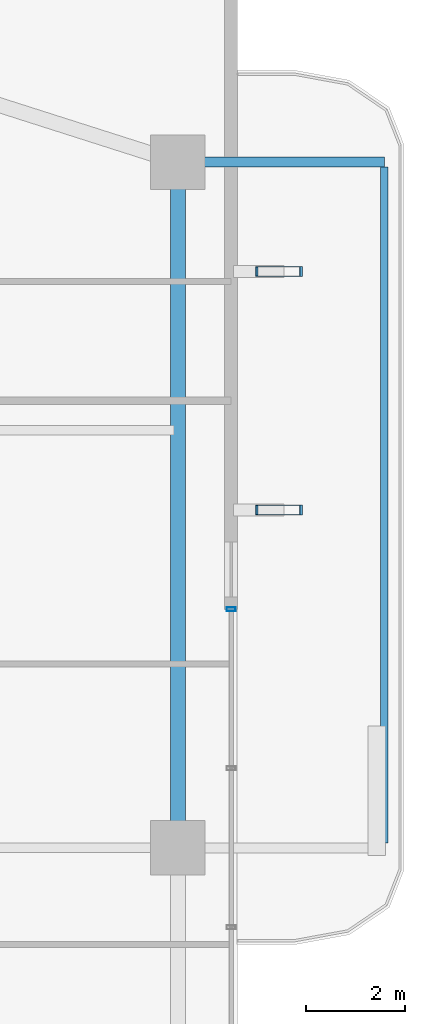
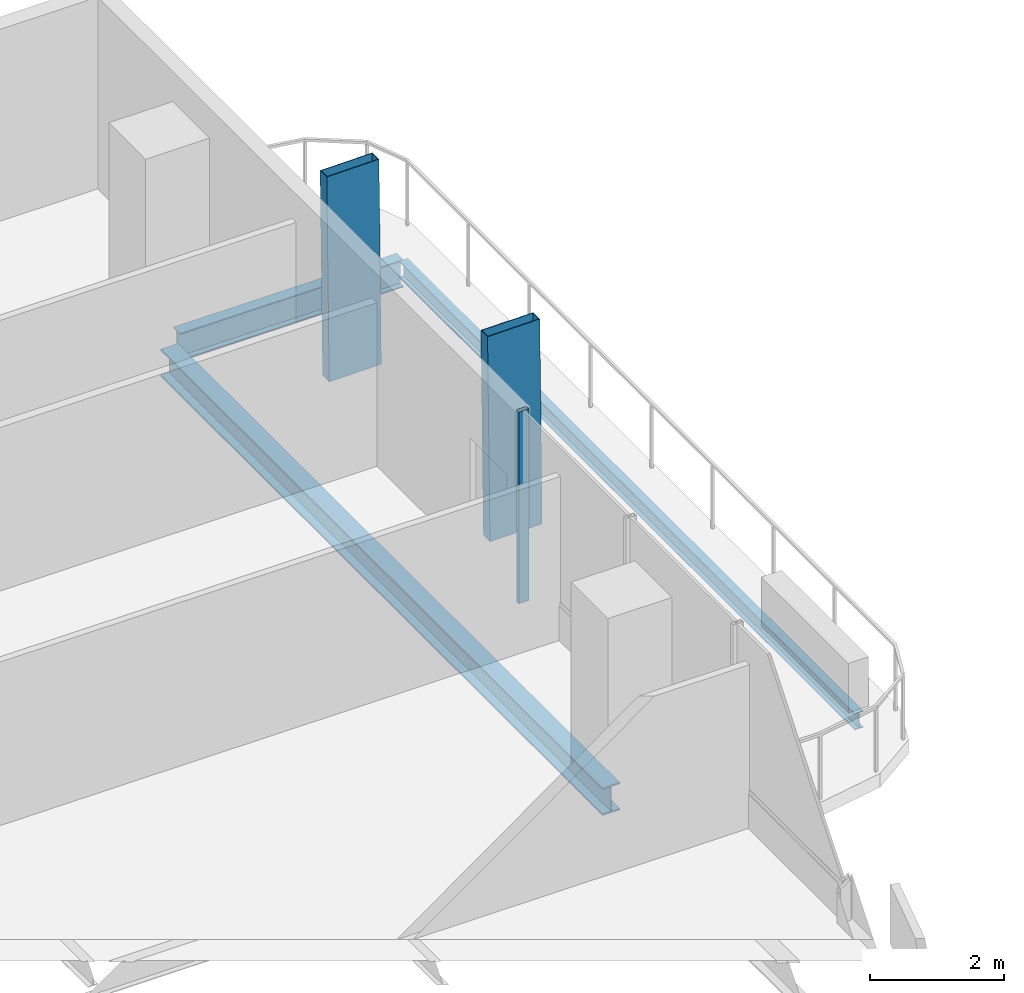
# One storey, part 15 of 24: 3 beams, 3 members, 1 element without a shape of its own.
"""IFC4 building model written with IfcOpenShell, lengths in metres."""

import ifcopenshell
import ifcopenshell.guid

model = None  # the IFC model being written
_history = None  # IfcOwnerHistory: only IFC2X3 demands one
_inside = {}  # id of a spatial element -> (the spatial element, [elements in it])
_under = {}  # id of a project, library or spatial element -> (it, [spatial elements below it])
_declared = {}  # id of a project -> (the project, [libraries it declares])
_typed = {}  # id of a type object -> (the type object, [elements of that type])
_made_of = {}  # id of a material, layer set ... -> (it, [elements and type objects made of it])


def new_model(schema):
    """Start an empty IFC model of exactly this schema.

    Asked for "IFC4X3", IfcOpenShell would pick the latest addendum, in which some entities
    have other attributes; the version numbers below select the first issue.
    IFC2X3 requires an IfcOwnerHistory on every rooted entity: one is made here for all.
    """
    global model, _history
    if schema == "IFC4X3":
        model = ifcopenshell.file(schema_version=(4, 3, 0, 0))
    else:
        model = ifcopenshell.file(schema=schema)
    _inside.clear()
    _under.clear()
    _declared.clear()
    _typed.clear()
    _made_of.clear()
    _history = None
    if model.schema == "IFC2X3":
        org = make("IfcOrganization", Name="unknown")
        user = make(
            "IfcPersonAndOrganization",
            ThePerson=make("IfcPerson", FamilyName="unknown"),
            TheOrganization=org,
        )
        app = make(
            "IfcApplication",
            ApplicationDeveloper=org,
            Version="unknown",
            ApplicationFullName="unknown",
            ApplicationIdentifier="unknown",
        )
        _history = make(
            "IfcOwnerHistory",
            OwningUser=user,
            OwningApplication=app,
            ChangeAction="ADDED",
            CreationDate=0,
        )
    return model


def make(cls, **values):
    """One entity of the class cls with the attributes given. An attribute that is None is left unset."""
    return model.create_entity(
        cls, **{name: value for name, value in values.items() if value is not None}
    )


def rooted(cls, **values):
    """An entity with a GlobalId (a new one), such as an element, a storey or a relation."""
    return make(cls, GlobalId=ifcopenshell.guid.new(), OwnerHistory=_history, **values)


def si_unit(unit_type, name, prefix=None):
    """IfcSIUnit, for example si_unit("LENGTHUNIT", "METRE", prefix="MILLI")."""
    return make("IfcSIUnit", UnitType=unit_type, Prefix=prefix, Name=name)


def assignment(units):
    """IfcUnitAssignment: the units of a project."""
    return None if units is None else make("IfcUnitAssignment", Units=units)


def point(xyz):
    """IfcCartesianPoint."""
    return None if xyz is None else make("IfcCartesianPoint", Coordinates=xyz)


def direction(xyz):
    """IfcDirection."""
    return None if xyz is None else make("IfcDirection", DirectionRatios=xyz)


def frame(location, z_axis=None, x_axis=None):
    """IfcAxis2Placement3D, a coordinate frame: its origin and axes. An axis left out is left unset."""
    return make(
        "IfcAxis2Placement3D",
        Location=point(location),
        Axis=direction(z_axis),
        RefDirection=direction(x_axis),
    )


def frame_2d(location, x_axis=None):
    """IfcAxis2Placement2D, a coordinate frame in the plane: its origin and x axis."""
    return make(
        "IfcAxis2Placement2D", Location=point(location), RefDirection=direction(x_axis)
    )


def origin():
    """The frame at (0, 0, 0) with its axes left unset."""
    return frame((0.0, 0.0, 0.0))


def origin_2d():
    """The frame at (0, 0) in the plane with its x axis left unset."""
    return frame_2d((0.0, 0.0))


def place(relative_to, where):
    """IfcLocalPlacement: puts the frame where relative to a parent placement (None: the world)."""
    return make(
        "IfcLocalPlacement", PlacementRelTo=relative_to, RelativePlacement=where
    )


def context(
    kind, dimensions, precision=None, world=None, true_north=None, identifier=None
):
    """IfcGeometricRepresentationContext, for example the 3D "Model" context."""
    return make(
        "IfcGeometricRepresentationContext",
        ContextIdentifier=identifier,
        ContextType=kind,
        CoordinateSpaceDimension=dimensions,
        Precision=precision,
        WorldCoordinateSystem=world,
        TrueNorth=true_north,
    )


def subcontext(parent, identifier, kind, view, scale=None):
    """IfcGeometricRepresentationSubContext, for example "Body" below "Model"."""
    return make(
        "IfcGeometricRepresentationSubContext",
        ContextIdentifier=identifier,
        ContextType=kind,
        ParentContext=parent,
        TargetScale=scale,
        TargetView=view,
    )


def project(units=None, contexts=None):
    """IfcProject with its units and contexts."""
    return rooted(
        "IfcProject",
        Name="project",
        RepresentationContexts=contexts,
        UnitsInContext=assignment(units),
    )


def spatial(cls, under=None, at=None, **own):
    """A site, building, storey or space (cls), placed at a placement, below another one or the project."""
    s = rooted(cls, ObjectPlacement=at, **own)
    if under is not None:
        _under.setdefault(under.id(), (under, []))[1].append(s)
    return s


def profile(cls, at=None, kind="AREA", **sizes):
    """A parametric profile (cls). Its sizes go by their IFC names, for example OverallWidth=200.0."""
    return make(cls, ProfileType=kind, Position=at, **sizes)


def hollow_rectangle(**sizes):
    """IfcRectangleHollowProfileDef."""
    return profile("IfcRectangleHollowProfileDef", **sizes)


def i_section(**sizes):
    """IfcIShapeProfileDef."""
    return profile("IfcIShapeProfileDef", **sizes)


def extrude(swept, where, along, depth):
    """IfcExtrudedAreaSolid: the profile swept, set in the frame where, extruded along a direction by depth."""
    return make(
        "IfcExtrudedAreaSolid",
        SweptArea=swept,
        Position=where,
        ExtrudedDirection=direction(along),
        Depth=depth,
    )


def shape(context_of_items, identifier, shape_type, items):
    """IfcShapeRepresentation: the items that make up one representation, for example the "Body"."""
    return make(
        "IfcShapeRepresentation",
        ContextOfItems=context_of_items,
        RepresentationIdentifier=identifier,
        RepresentationType=shape_type,
        Items=items,
    )


def material(Name=None, Category=None):
    """IfcMaterial."""
    return make("IfcMaterial", Name=Name, Category=Category)


def layer(
    of_material, thickness, ventilated=None, Name=None, Category=None, Priority=None
):
    """IfcMaterialLayer: one layer of a wall or slab, of a material (None: an air gap)."""
    return make(
        "IfcMaterialLayer",
        Material=of_material,
        LayerThickness=thickness,
        IsVentilated=ventilated,
        Name=Name,
        Category=Category,
        Priority=Priority,
    )


def layer_set(layers, Name=None):
    """IfcMaterialLayerSet."""
    return make("IfcMaterialLayerSet", MaterialLayers=layers, LayerSetName=Name)


def material_profile(
    of_material, cross_section, Name=None, Category=None, Priority=None
):
    """IfcMaterialProfile: a cross section and its material."""
    return make(
        "IfcMaterialProfile",
        Name=Name,
        Material=of_material,
        Profile=cross_section,
        Priority=Priority,
        Category=Category,
    )


def profile_set(profiles, Name=None, composite=None):
    """IfcMaterialProfileSet."""
    return make(
        "IfcMaterialProfileSet",
        Name=Name,
        MaterialProfiles=profiles,
        CompositeProfile=composite,
    )


def made_of(thing, what):
    """Note that an element or type object is made of a material, layer set ...; save() writes the relation."""
    if what is not None:
        _made_of.setdefault(what.id(), (what, []))[1].append(thing)
    return thing


def type_object(cls, material=None, **own):
    """A type object (cls), such as IfcWallType, which elements share."""
    return made_of(rooted(cls, **own), material)


def element(
    cls,
    number,
    at=None,
    inside=None,
    cuts=None,
    type_object=None,
    material=None,
    context=None,
    identifier="Body",
    shape_type=None,
    held_by="IfcProductDefinitionShape",
    body=None,
    shapes=None,
    **own,
):
    """One element of the class cls, such as IfcWall. Its Tag is "e" and its number.

    at: its placement. inside: the storey or other place that contains it. cuts: it is an
    opening in that element (IfcRelVoidsElement). A single representation is given by context,
    identifier, shape_type and body (its items); several are given by shapes. held_by: the class
    of the entity that holds the representations. save() writes the other relations.
    """
    e = rooted(cls, Tag="e%d" % number, ObjectPlacement=at, **own)
    if body is not None:
        shapes = [shape(context, identifier, shape_type, body)]
    if shapes is not None:
        e.Representation = make(held_by, Representations=shapes)
    if inside is not None:
        _inside.setdefault(inside.id(), (inside, []))[1].append(e)
    if cuts is not None:
        rooted(
            "IfcRelVoidsElement", RelatingBuildingElement=cuts, RelatedOpeningElement=e
        )
    if type_object is not None:
        _typed.setdefault(type_object.id(), (type_object, []))[1].append(e)
    return made_of(e, material)


def aggregate(whole, parts):
    """IfcRelAggregates: a whole, such as a stair, and the parts it consists of."""
    return rooted("IfcRelAggregates", RelatingObject=whole, RelatedObjects=parts)


def save(model, path):
    """Write the relations noted so far, then the file.

    IfcRelAggregates (storeys below a building ...), IfcRelContainedInSpatialStructure (elements
    in a storey), IfcRelDefinesByType, IfcRelAssociatesMaterial and IfcRelDeclares: one each for
    every whole, place, type object, material and project.
    """
    for whole, parts in _under.values():
        aggregate(whole, parts)
    for where, things in _inside.values():
        rooted(
            "IfcRelContainedInSpatialStructure",
            RelatedElements=things,
            RelatingStructure=where,
        )
    for kind, things in _typed.values():
        rooted("IfcRelDefinesByType", RelatedObjects=things, RelatingType=kind)
    for what, things in _made_of.values():
        rooted("IfcRelAssociatesMaterial", RelatedObjects=things, RelatingMaterial=what)
    for by, libraries in _declared.values():
        rooted("IfcRelDeclares", RelatingContext=by, RelatedDefinitions=libraries)
    model.write(path)


model = new_model("IFC4")

# Units and contexts
model_context = context("Model", 3, precision=1e-05, world=origin(), true_north=direction((0.0, 1.0)))
body_context = subcontext(model_context, "Body", "Model", "MODEL_VIEW")
ifc_project = project(units=[si_unit("LENGTHUNIT", "METRE"), si_unit("AREAUNIT", "SQUARE_METRE"), si_unit("VOLUMEUNIT", "CUBIC_METRE"), si_unit("PLANEANGLEUNIT", "RADIAN"), si_unit("MASSUNIT", "GRAM", prefix="KILO")], contexts=[model_context])

# Site, building, storey
site_placement = place(None, origin())
site = spatial("IfcSite", under=ifc_project, at=site_placement, CompositionType="ELEMENT")
building_placement = place(site_placement, origin())
building = spatial("IfcBuilding", under=site, at=building_placement, Name="Belovzor Exchange Tower", CompositionType="ELEMENT")
storey_placement = place(building_placement, frame((0.0, 0.0, 179.550048828125)))
storey = spatial("IfcBuildingStorey", under=building, at=storey_placement, Name="L44", CompositionType="ELEMENT", Elevation=179.550048828125)

# Beams
ifc_material_1 = material(Name="Steel S355", Category="steel")
ifc_material_profile_1 = material_profile(ifc_material_1, i_section(OverallWidth=0.199951171875, OverallDepth=0.5, WebThickness=0.01025390625, FlangeThickness=0.01611328125, at=origin_2d()))
ifc_profile_set_1 = profile_set([ifc_material_profile_1], Name="Steel S355")
beam_type_1 = type_object("IfcBeamType", Name="Planted Balcony Cantilever Beam IPE 500", PredefinedType="BEAM", material=ifc_profile_set_1)
beam_1_placement = place(storey_placement, frame((52.202880859375, 42.60009765625, -0.505126953125), z_axis=(1.0, 0.0, 0.0), x_axis=(0.0, 1.0, 0.0)))
element("IfcBeam", 1, at=beam_1_placement, inside=storey, type_object=beam_type_1, Name="BC-500 Planted Balcony Cantilever Beam IPE 500", PredefinedType="BEAM", context=body_context, shape_type="SweptSolid", body=[
    extrude(i_section(OverallWidth=0.199951171875, OverallDepth=0.5, WebThickness=0.01025390625, FlangeThickness=0.01611328125, at=origin_2d()), origin(), (0.0, 0.0, 1.0), 3.85009765625),
])
ifc_material_2 = material(Name="Steel S355", Category="steel")
ifc_material_profile_2 = material_profile(ifc_material_2, i_section(OverallWidth=0.14990234375, OverallDepth=0.300048828125, WebThickness=0.007080078125, FlangeThickness=0.0107421875, at=origin_2d()))
ifc_profile_set_2 = profile_set([ifc_material_profile_2], Name="Steel S355")
beam_type_2 = type_object("IfcBeamType", Name="Planted Balcony Fascia Edge Beam IPE 300", PredefinedType="BEAM", material=ifc_profile_set_2)
beam_2_placement = place(storey_placement, frame((56.052978515625, 28.89990234375, -0.405029296875), z_axis=(0.0, 1.0, 0.0), x_axis=(-1.0, 0.0, 0.0)))
element("IfcBeam", 2, at=beam_2_placement, inside=storey, type_object=beam_type_2, Name="BC-300 Planted Balcony Fascia Edge Beam IPE 300", PredefinedType="BEAM", context=body_context, shape_type="SweptSolid", body=[
    extrude(i_section(OverallWidth=0.14990234375, OverallDepth=0.300048828125, WebThickness=0.007080078125, FlangeThickness=0.0107421875, at=origin_2d()), origin(), (0.0, 0.0, 1.0), 13.60009765625),
])

# Members
ifc_material_3 = material(Name="Extruded Architectural Terracotta on Steel S355 Carrier", Category="masonry")
ifc_material_profile_3 = material_profile(ifc_material_3, hollow_rectangle(XDim=0.199951171875, YDim=0.89990234375, WallThickness=0.011962890625, at=origin_2d()))
ifc_profile_set_3 = profile_set([ifc_material_profile_3], Name="Extruded Architectural Terracotta on Steel S355 Carrier")
member_type_1 = type_object("IfcMemberType", Name="Sweeping Terracotta Baguette Fin Assembly 1250", PredefinedType="USERDEFINED", material=ifc_profile_set_3)
for number, where, z_axis, x_axis, name in (
    (3, (53.952880859375, 35.60009765625, -0.255126953125), (-0.011197214661, 0.0, 0.999937309227), (0.0, -1.0, 0.0), "FIN-TC125 Terracotta Facade Fin L44 E3"),
    (4, (53.952880859375, 40.39990234375, -0.255126953125), (-0.011197214661, 0.0, 0.999937309227), (0.0, -1.0, 0.0), "FIN-TC125 Terracotta Facade Fin L44 E4"),
):
    element("IfcMember", number, at=place(storey_placement, frame(where, z_axis=z_axis, x_axis=x_axis)), inside=storey, type_object=member_type_1, Name=name, ObjectType="FIN", PredefinedType="USERDEFINED", context=body_context, shape_type="SweptSolid", body=[
        extrude(hollow_rectangle(XDim=0.199951171875, YDim=0.89990234375, WallThickness=0.011962890625, at=origin_2d()), origin(), (0.0, 0.0, 1.0), 3.750244140625),
    ])

# Curtain wall, member
ifc_material_4 = material(Name="Anodised Aluminium Framing", Category="aluminium")
ifc_layer = layer(ifc_material_4, 0.179931640625)
ifc_layer_set = layer_set([ifc_layer], Name="Anodised Aluminium Framing")
curtain_wall_type = type_object("IfcCurtainWallType", Name="Recessed Loggia Low-Iron Triple-Glazed Curtain Wall", PredefinedType="NOTDEFINED", material=ifc_layer_set)
curtain_wall_placement = place(storey_placement, origin())
curtain_wall = element("IfcCurtainWall", 5, at=curtain_wall_placement, inside=storey, type_object=curtain_wall_type, Name="CW3 Recessed Loggia Low-Iron Triple-Glazed Curtain Wall L44", PredefinedType="NOTDEFINED")
ifc_material_5 = material(Name="Steel S355", Category="steel")
ifc_material_profile_4 = material_profile(ifc_material_5, hollow_rectangle(XDim=0.074951171875, YDim=0.179931640625, WallThickness=0.0048828125, at=origin_2d()))
ifc_profile_set_4 = profile_set([ifc_material_profile_4], Name="Steel S355")
member_type_2 = type_object("IfcMemberType", Name="Thermally Broken Curtain Wall Mullion 180x75", PredefinedType="MULLION", material=ifc_profile_set_4)
member_placement = place(storey_placement, frame((52.969970703125, 33.60009765625, 0.0), z_axis=(0.0, 0.0, 1.0), x_axis=(0.0, -1.0, 0.0)))
member = element("IfcMember", 6, at=member_placement, type_object=member_type_2, Name="CW-M180 Curtain Wall Mullion 1", PredefinedType="MULLION", context=body_context, shape_type="SweptSolid", body=[
    extrude(hollow_rectangle(XDim=0.074951171875, YDim=0.179931640625, WallThickness=0.0048828125, at=origin_2d()), origin(), (0.0, 0.0, 1.0), 3.494873046875),
])
aggregate(curtain_wall, [member])

# Beam
ifc_material_6 = material(Name="Steel S355", Category="steel")
ifc_material_profile_5 = material_profile(ifc_material_6, i_section(OverallWidth=0.300048828125, OverallDepth=0.5, WebThickness=0.014404296875, FlangeThickness=0.028076171875, at=origin_2d()))
ifc_profile_set_5 = profile_set([ifc_material_profile_5], Name="Steel S355")
beam_type_3 = type_object("IfcBeamType", Name="Zone 3 Waist Primary Girder HEB 500", PredefinedType="BEAM", material=ifc_profile_set_5)
beam_3_placement = place(storey_placement, frame((51.89990234375, 29.10205078125, -0.505126953125), z_axis=(0.0, 1.0, 0.0), x_axis=(-1.0, 0.0, 0.0)))
element("IfcBeam", 7, at=beam_3_placement, inside=storey, type_object=beam_type_3, Name="FG-Z3 Zone 3 Waist Primary Girder HEB 500", PredefinedType="BEAM", context=body_context, shape_type="SweptSolid", body=[
    extrude(i_section(OverallWidth=0.300048828125, OverallDepth=0.5, WebThickness=0.014404296875, FlangeThickness=0.028076171875, at=origin_2d()), origin(), (0.0, 0.0, 1.0), 13.195068359375),
])

save(model, "model.ifc")
